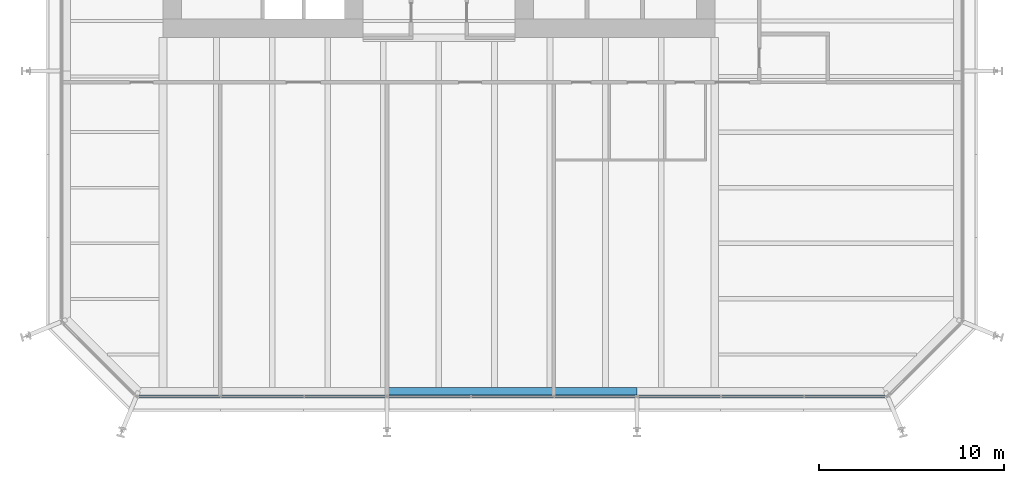
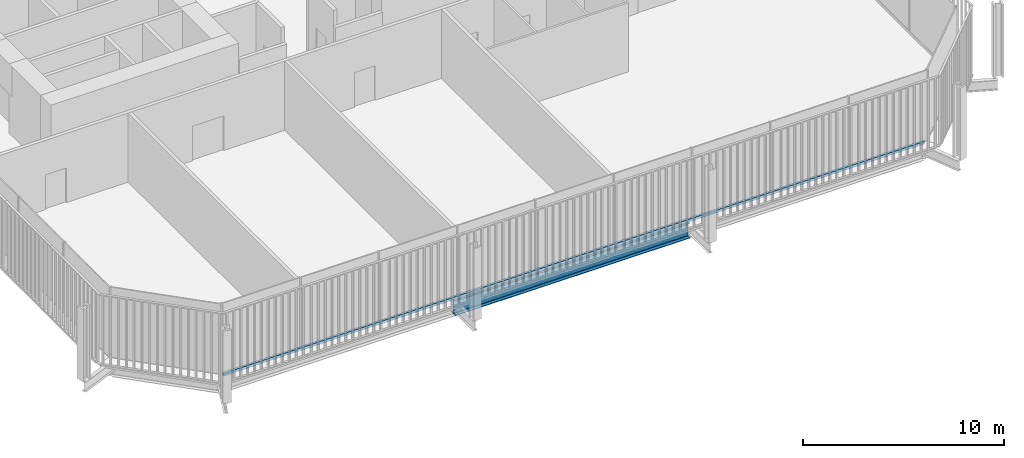
# One storey, part 3 of 20: 1 beam, 1 member, 1 element without a shape of its own.
"""IFC4 building model written with IfcOpenShell, lengths in metres."""

from ifc_helpers import new_model, si_unit, direction, frame, origin, origin_2d, place, context, subcontext, project, spatial, rectangle, i_section, extrude, material, layer, layer_set, material_profile, profile_set, type_object, element, aggregate, save


model = new_model("IFC4")

# Units and contexts
model_context = context("Model", 3, precision=1e-05, world=origin(), true_north=direction((0.0, 1.0)))
body_context = subcontext(model_context, "Body", "Model", "MODEL_VIEW")
ifc_project = project(units=[si_unit("LENGTHUNIT", "METRE"), si_unit("AREAUNIT", "SQUARE_METRE"), si_unit("VOLUMEUNIT", "CUBIC_METRE"), si_unit("PLANEANGLEUNIT", "RADIAN"), si_unit("MASSUNIT", "GRAM", prefix="KILO")], contexts=[model_context])

# Site, building, storey
site_placement = place(None, origin())
site = spatial("IfcSite", under=ifc_project, at=site_placement, CompositionType="ELEMENT")
building_placement = place(site_placement, origin())
building = spatial("IfcBuilding", under=site, at=building_placement, Name="Millrace Tower", CompositionType="ELEMENT")
storey_placement = place(building_placement, frame((0.0, 0.0, 99.60009765625)))
storey = spatial("IfcBuildingStorey", under=building, at=storey_placement, Name="L22", CompositionType="ELEMENT", Elevation=99.60009765625)

# Curtain wall, member
ifc_material_1 = material(Name="Aluminium and glass", Category="aluminium")
ifc_layer = layer(ifc_material_1, 0.14990234375)
ifc_layer_set = layer_set([ifc_layer], Name="Aluminium and glass")
curtain_wall_type = type_object("IfcCurtainWallType", Name="CW-3 telecom floor curtain wall", PredefinedType="NOTDEFINED", material=ifc_layer_set)
curtain_wall_placement = place(storey_placement, origin())
curtain_wall = element("IfcCurtainWall", 1, at=curtain_wall_placement, inside=storey, type_object=curtain_wall_type, Name="Curtain wall B-F02 L22", PredefinedType="NOTDEFINED")
ifc_material_2 = material(Name="Aluminium", Category="aluminium")
ifc_material_profile_1 = material_profile(ifc_material_2, rectangle(XDim=0.14990234375, YDim=0.14990234375, at=origin_2d()))
ifc_profile_set_1 = profile_set([ifc_material_profile_1], Name="Aluminium")
member_type = type_object("IfcMemberType", Name="CW-3 telecom floor curtain wall transom", PredefinedType="USERDEFINED", material=ifc_profile_set_1)
member_placement = place(storey_placement, frame((-16.199951171875, -29.27490234375, 0.074951171875), z_axis=(1.0, 0.0, 0.0), x_axis=(0.0, 1.0, 0.0)))
member = element("IfcMember", 2, at=member_placement, type_object=member_type, Name="CW3 transom B-F02.1", ObjectType="TRANSOM", PredefinedType="USERDEFINED", context=body_context, shape_type="SweptSolid", body=[
    extrude(rectangle(XDim=0.14990234375, YDim=0.14990234375, at=origin_2d()), origin(), (0.0, 0.0, 1.0), 40.300048828125),
])
aggregate(curtain_wall, [member])

# Beam
ifc_material_3 = material(Name="Steel ASTM A992 Grade 50", Category="steel")
ifc_material_profile_2 = material_profile(ifc_material_3, i_section(OverallWidth=0.419189453125, OverallDepth=0.927001953125, WebThickness=0.019287109375, FlangeThickness=0.031982421875, FilletRadius=0.024169921875, at=origin_2d()))
ifc_profile_set_2 = profile_set([ifc_material_profile_2], Name="Steel ASTM A992 Grade 50")
beam_type = type_object("IfcBeamType", Name="Ring beam medium span W36x231", PredefinedType="SPANDREL", material=ifc_profile_set_2)
beam_placement = place(storey_placement, frame((10.699951171875, -28.990478515625, -0.66357421875), z_axis=(-1.0, 0.0, 0.0), x_axis=(0.0, -1.0, 0.0)))
element("IfcBeam", 3, at=beam_placement, inside=storey, type_object=beam_type, Name="RNG-B-L22-S1-14", PredefinedType="SPANDREL", context=body_context, shape_type="SweptSolid", body=[
    extrude(i_section(OverallWidth=0.419189453125, OverallDepth=0.927001953125, WebThickness=0.019287109375, FlangeThickness=0.031982421875, FilletRadius=0.024169921875, at=origin_2d()), origin(), (0.0, 0.0, 1.0), 13.5),
])

save(model, "model.ifc")
